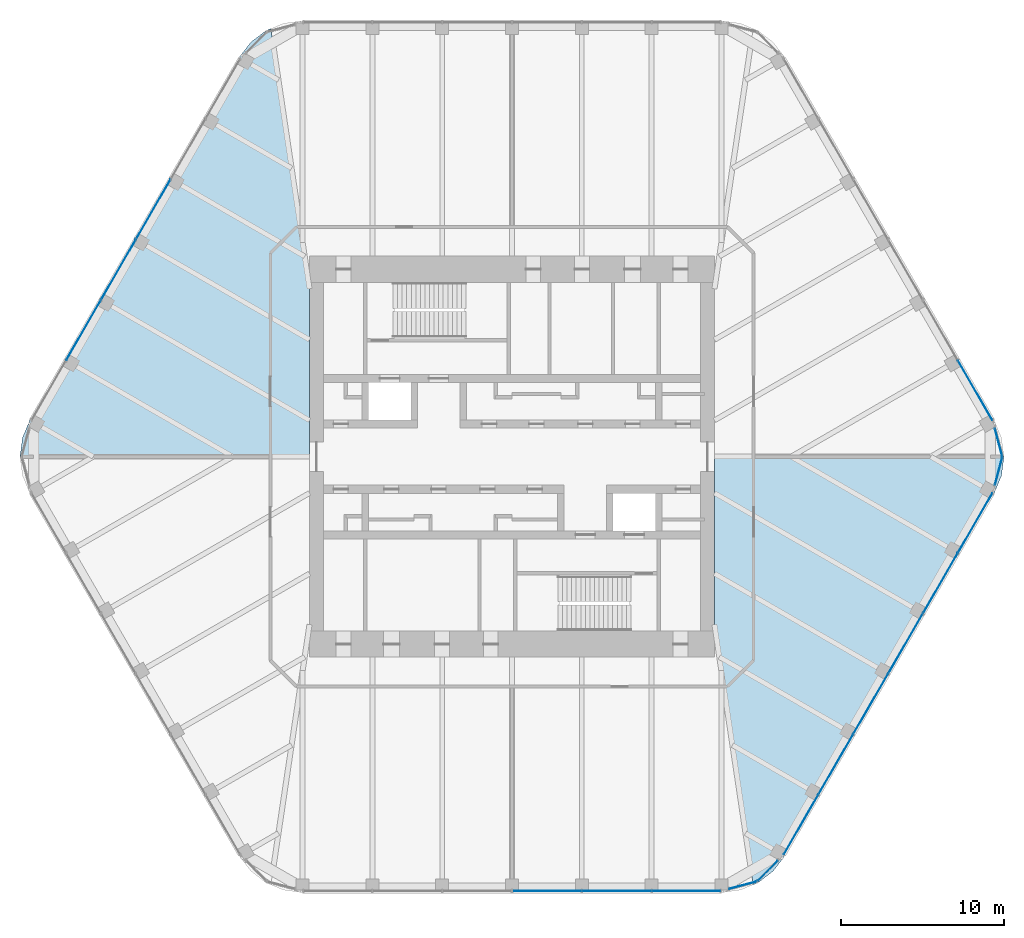
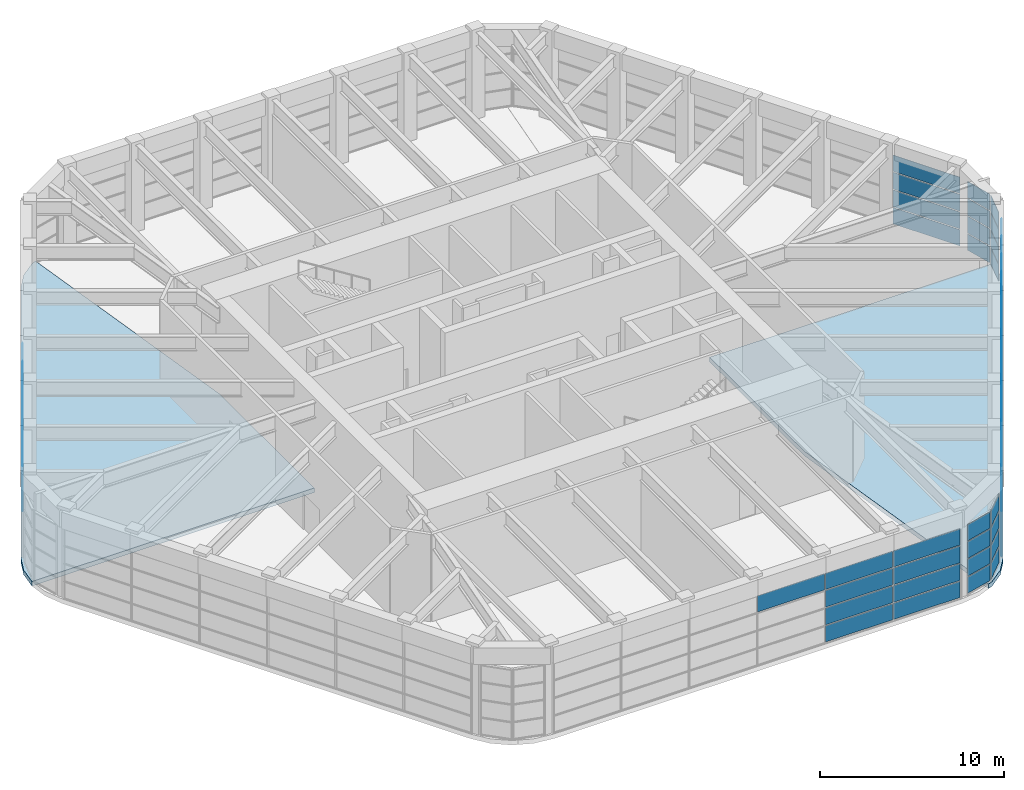
# One storey, part 11 of 16: 63 plates, 2 slabs, 8 elements without a shape of their own.
"""IFC4 building model written with IfcOpenShell, lengths in metres."""

from ifc_helpers import new_model, si_unit, direction, frame, origin, origin_2d, place, context, subcontext, project, spatial, polyline, rectangle, outline, extrude, material, layer, layer_set, type_object, element, aggregate, save


model = new_model("IFC4")

# Units and contexts
model_context = context("Model", 3, precision=1e-05, world=origin(), true_north=direction((0.0, 1.0)))
body_context = subcontext(model_context, "Body", "Model", "MODEL_VIEW")
ifc_project = project(units=[si_unit("LENGTHUNIT", "METRE"), si_unit("AREAUNIT", "SQUARE_METRE"), si_unit("VOLUMEUNIT", "CUBIC_METRE"), si_unit("PLANEANGLEUNIT", "RADIAN"), si_unit("MASSUNIT", "GRAM", prefix="KILO")], contexts=[model_context])

# Site, building, storey
site_placement = place(None, origin())
site = spatial("IfcSite", under=ifc_project, at=site_placement, CompositionType="ELEMENT")
building_placement = place(site_placement, origin())
building = spatial("IfcBuilding", under=site, at=building_placement, Name="Tarfa Lantern Tower", CompositionType="ELEMENT")
storey_placement = place(building_placement, frame((0.0, 0.0, 396.300048828125)))
storey = spatial("IfcBuildingStorey", under=building, at=storey_placement, Name="L90", CompositionType="ELEMENT", Elevation=396.300048828125)

# Curtain wall, plates
ifc_material_1 = material(Name="Aluminium framed curtain wall", Category="aluminium")
curtain_wall_type = type_object("IfcCurtainWallType", Name="CW8 LANTERN GLAZING 4700", PredefinedType="USERDEFINED", material=ifc_material_1)
curtain_wall_1_placement = place(storey_placement, origin())
curtain_wall_1 = element("IfcCurtainWall", 1, at=curtain_wall_1_placement, inside=storey, type_object=curtain_wall_type, Name="CW8 SSE1 L90", ObjectType="CURTAIN WALL", PredefinedType="USERDEFINED")
ifc_material_2 = material(Name="Laminated double glazing", Category="glass")
ifc_layer_1 = layer(ifc_material_2, 0.028076171875)
ifc_layer_set_1 = layer_set([ifc_layer_1], Name="CWP1 DOUBLE GLAZED PANEL")
plate_type = type_object("IfcPlateType", Name="CWP1 DOUBLE GLAZED PANEL", PredefinedType="CURTAIN_PANEL", material=ifc_layer_set_1)
plate_1_placement = place(storey_placement, frame((14.158935546875, -26.298095703125, 0.06494140625), z_axis=(0.0, 0.0, 1.0), x_axis=(0.965925850804, 0.258818953611, 0.0)))
plate_1 = element("IfcPlate", 2, at=plate_1_placement, type_object=plate_type, Name="CW8 panel 1.1", PredefinedType="CURTAIN_PANEL", context=body_context, shape_type="SweptSolid", body=[
    extrude(rectangle(XDim=1.706787109375, YDim=0.028076171875, at=origin_2d()), origin(), (0.0, 0.0, 1.0), 1.077392578125),
])
plate_2_placement = place(storey_placement, frame((14.158935546875, -26.298095703125, 1.20751953125), z_axis=(0.0, 0.0, 1.0), x_axis=(0.965925850804, 0.258818953611, 0.0)))
plate_2 = element("IfcPlate", 3, at=plate_2_placement, type_object=plate_type, Name="CW8 panel 1.2", PredefinedType="CURTAIN_PANEL", context=body_context, shape_type="SweptSolid", body=[
    extrude(rectangle(XDim=1.706787109375, YDim=0.028076171875, at=origin_2d()), origin(), (0.0, 0.0, 1.0), 1.110107421875),
])
plate_3_placement = place(storey_placement, frame((14.158935546875, -26.298095703125, 2.38232421875), z_axis=(0.0, 0.0, 1.0), x_axis=(0.965925850804, 0.258818953611, 0.0)))
plate_3 = element("IfcPlate", 4, at=plate_3_placement, type_object=plate_type, Name="CW8 panel 1.3", PredefinedType="CURTAIN_PANEL", context=body_context, shape_type="SweptSolid", body=[
    extrude(rectangle(XDim=1.706787109375, YDim=0.028076171875, at=origin_2d()), origin(), (0.0, 0.0, 1.0), 1.110107421875),
])
plate_4_placement = place(storey_placement, frame((14.158935546875, -26.298095703125, 3.5576171875), z_axis=(0.0, 0.0, 1.0), x_axis=(0.965925850804, 0.258818953611, 0.0)))
plate_4 = element("IfcPlate", 5, at=plate_4_placement, type_object=plate_type, Name="CW8 panel 1.4", PredefinedType="CURTAIN_PANEL", context=body_context, shape_type="SweptSolid", body=[
    extrude(rectangle(XDim=1.706787109375, YDim=0.028076171875, at=origin_2d()), origin(), (0.0, 0.0, 1.0), 1.077392578125),
])
aggregate(curtain_wall_1, [plate_1, plate_2, plate_3, plate_4])

curtain_wall_2_placement = place(storey_placement, origin())
curtain_wall_2 = element("IfcCurtainWall", 6, at=curtain_wall_2_placement, inside=storey, type_object=curtain_wall_type, Name="CW8 SSE2 L90", ObjectType="CURTAIN WALL", PredefinedType="USERDEFINED")
plate_5_placement = place(storey_placement, frame((15.6953125, -25.4111328125, 0.06494140625), z_axis=(0.0, 0.0, 1.0), x_axis=(0.707106781187, 0.707106781187, 0.0)))
plate_5 = element("IfcPlate", 7, at=plate_5_placement, type_object=plate_type, Name="CW8 panel 1.1", PredefinedType="CURTAIN_PANEL", context=body_context, shape_type="SweptSolid", body=[
    extrude(rectangle(XDim=1.706787109375, YDim=0.028076171875, at=origin_2d()), origin(), (0.0, 0.0, 1.0), 1.077392578125),
])
plate_6_placement = place(storey_placement, frame((15.6953125, -25.4111328125, 1.20751953125), z_axis=(0.0, 0.0, 1.0), x_axis=(0.707106781187, 0.707106781187, 0.0)))
plate_6 = element("IfcPlate", 8, at=plate_6_placement, type_object=plate_type, Name="CW8 panel 1.2", PredefinedType="CURTAIN_PANEL", context=body_context, shape_type="SweptSolid", body=[
    extrude(rectangle(XDim=1.706787109375, YDim=0.028076171875, at=origin_2d()), origin(), (0.0, 0.0, 1.0), 1.110107421875),
])
plate_7_placement = place(storey_placement, frame((15.6953125, -25.4111328125, 2.38232421875), z_axis=(0.0, 0.0, 1.0), x_axis=(0.707106781187, 0.707106781187, 0.0)))
plate_7 = element("IfcPlate", 9, at=plate_7_placement, type_object=plate_type, Name="CW8 panel 1.3", PredefinedType="CURTAIN_PANEL", context=body_context, shape_type="SweptSolid", body=[
    extrude(rectangle(XDim=1.706787109375, YDim=0.028076171875, at=origin_2d()), origin(), (0.0, 0.0, 1.0), 1.110107421875),
])
plate_8_placement = place(storey_placement, frame((15.6953125, -25.4111328125, 3.5576171875), z_axis=(0.0, 0.0, 1.0), x_axis=(0.707106781187, 0.707106781187, 0.0)))
plate_8 = element("IfcPlate", 10, at=plate_8_placement, type_object=plate_type, Name="CW8 panel 1.4", PredefinedType="CURTAIN_PANEL", context=body_context, shape_type="SweptSolid", body=[
    extrude(rectangle(XDim=1.706787109375, YDim=0.028076171875, at=origin_2d()), origin(), (0.0, 0.0, 1.0), 1.077392578125),
])
aggregate(curtain_wall_2, [plate_5, plate_6, plate_7, plate_8])

curtain_wall_3_placement = place(storey_placement, origin())
curtain_wall_3 = element("IfcCurtainWall", 11, at=curtain_wall_3_placement, inside=storey, type_object=curtain_wall_type, Name="CW8 SENE1 L90", ObjectType="CURTAIN WALL", PredefinedType="USERDEFINED")
plate_9_placement = place(storey_placement, frame((29.8544921875, -0.886962890625, 0.06494140625), z_axis=(0.0, 0.0, 1.0), x_axis=(0.258818953611, 0.965925850804, 0.0)))
plate_9 = element("IfcPlate", 12, at=plate_9_placement, type_object=plate_type, Name="CW8 panel 1.1", PredefinedType="CURTAIN_PANEL", context=body_context, shape_type="SweptSolid", body=[
    extrude(rectangle(XDim=1.706787109375, YDim=0.028076171875, at=origin_2d()), origin(), (0.0, 0.0, 1.0), 1.077392578125),
])
plate_10_placement = place(storey_placement, frame((29.8544921875, -0.886962890625, 1.20751953125), z_axis=(0.0, 0.0, 1.0), x_axis=(0.258818953611, 0.965925850804, 0.0)))
plate_10 = element("IfcPlate", 13, at=plate_10_placement, type_object=plate_type, Name="CW8 panel 1.2", PredefinedType="CURTAIN_PANEL", context=body_context, shape_type="SweptSolid", body=[
    extrude(rectangle(XDim=1.706787109375, YDim=0.028076171875, at=origin_2d()), origin(), (0.0, 0.0, 1.0), 1.110107421875),
])
plate_11_placement = place(storey_placement, frame((29.8544921875, -0.886962890625, 2.38232421875), z_axis=(0.0, 0.0, 1.0), x_axis=(0.258818953611, 0.965925850804, 0.0)))
plate_11 = element("IfcPlate", 14, at=plate_11_placement, type_object=plate_type, Name="CW8 panel 1.3", PredefinedType="CURTAIN_PANEL", context=body_context, shape_type="SweptSolid", body=[
    extrude(rectangle(XDim=1.706787109375, YDim=0.028076171875, at=origin_2d()), origin(), (0.0, 0.0, 1.0), 1.110107421875),
])
plate_12_placement = place(storey_placement, frame((29.8544921875, -0.886962890625, 3.5576171875), z_axis=(0.0, 0.0, 1.0), x_axis=(0.258818953611, 0.965925850804, 0.0)))
plate_12 = element("IfcPlate", 15, at=plate_12_placement, type_object=plate_type, Name="CW8 panel 1.4", PredefinedType="CURTAIN_PANEL", context=body_context, shape_type="SweptSolid", body=[
    extrude(rectangle(XDim=1.706787109375, YDim=0.028076171875, at=origin_2d()), origin(), (0.0, 0.0, 1.0), 1.077392578125),
])
aggregate(curtain_wall_3, [plate_9, plate_10, plate_11, plate_12])

curtain_wall_4_placement = place(storey_placement, origin())
curtain_wall_4 = element("IfcCurtainWall", 16, at=curtain_wall_4_placement, inside=storey, type_object=curtain_wall_type, Name="CW8 SENE2 L90", ObjectType="CURTAIN WALL", PredefinedType="USERDEFINED")
plate_13_placement = place(storey_placement, frame((29.8544921875, 0.886962890625, 0.06494140625), z_axis=(0.0, 0.0, 1.0), x_axis=(-0.258818953611, 0.965925850804, 0.0)))
plate_13 = element("IfcPlate", 17, at=plate_13_placement, type_object=plate_type, Name="CW8 panel 1.1", PredefinedType="CURTAIN_PANEL", context=body_context, shape_type="SweptSolid", body=[
    extrude(rectangle(XDim=1.706787109375, YDim=0.028076171875, at=origin_2d()), origin(), (0.0, 0.0, 1.0), 1.077392578125),
])
plate_14_placement = place(storey_placement, frame((29.8544921875, 0.886962890625, 1.20751953125), z_axis=(0.0, 0.0, 1.0), x_axis=(-0.258818953611, 0.965925850804, 0.0)))
plate_14 = element("IfcPlate", 18, at=plate_14_placement, type_object=plate_type, Name="CW8 panel 1.2", PredefinedType="CURTAIN_PANEL", context=body_context, shape_type="SweptSolid", body=[
    extrude(rectangle(XDim=1.706787109375, YDim=0.028076171875, at=origin_2d()), origin(), (0.0, 0.0, 1.0), 1.110107421875),
])
plate_15_placement = place(storey_placement, frame((29.8544921875, 0.886962890625, 2.38232421875), z_axis=(0.0, 0.0, 1.0), x_axis=(-0.258818953611, 0.965925850804, 0.0)))
plate_15 = element("IfcPlate", 19, at=plate_15_placement, type_object=plate_type, Name="CW8 panel 1.3", PredefinedType="CURTAIN_PANEL", context=body_context, shape_type="SweptSolid", body=[
    extrude(rectangle(XDim=1.706787109375, YDim=0.028076171875, at=origin_2d()), origin(), (0.0, 0.0, 1.0), 1.110107421875),
])
plate_16_placement = place(storey_placement, frame((29.8544921875, 0.886962890625, 3.5576171875), z_axis=(0.0, 0.0, 1.0), x_axis=(-0.258818953611, 0.965925850804, 0.0)))
plate_16 = element("IfcPlate", 20, at=plate_16_placement, type_object=plate_type, Name="CW8 panel 1.4", PredefinedType="CURTAIN_PANEL", context=body_context, shape_type="SweptSolid", body=[
    extrude(rectangle(XDim=1.706787109375, YDim=0.028076171875, at=origin_2d()), origin(), (0.0, 0.0, 1.0), 1.077392578125),
])
aggregate(curtain_wall_4, [plate_13, plate_14, plate_15, plate_16])

curtain_wall_5_placement = place(storey_placement, origin())
curtain_wall_5 = element("IfcCurtainWall", 21, at=curtain_wall_5_placement, inside=storey, type_object=curtain_wall_type, Name="CW8 NE L90", ObjectType="CURTAIN WALL", PredefinedType="USERDEFINED")
plate_17_placement = place(storey_placement, frame((28.424072265625, 4.068359375, 0.06494140625), z_axis=(0.0, 0.0, 1.0), x_axis=(-0.5, 0.866025403784, 0.0)))
plate_17 = element("IfcPlate", 22, at=plate_17_placement, type_object=plate_type, Name="CW8 panel 1.1", PredefinedType="CURTAIN_PANEL", context=body_context, shape_type="SweptSolid", body=[
    extrude(rectangle(XDim=4.1845703125, YDim=0.028076171875, at=origin_2d()), origin(), (0.0, 0.0, 1.0), 1.077392578125),
])
plate_18_placement = place(storey_placement, frame((28.424072265625, 4.068359375, 1.20751953125), z_axis=(0.0, 0.0, 1.0), x_axis=(-0.5, 0.866025403784, 0.0)))
plate_18 = element("IfcPlate", 23, at=plate_18_placement, type_object=plate_type, Name="CW8 panel 1.2", PredefinedType="CURTAIN_PANEL", context=body_context, shape_type="SweptSolid", body=[
    extrude(rectangle(XDim=4.1845703125, YDim=0.028076171875, at=origin_2d()), origin(), (0.0, 0.0, 1.0), 1.110107421875),
])
plate_19_placement = place(storey_placement, frame((28.424072265625, 4.068359375, 2.38232421875), z_axis=(0.0, 0.0, 1.0), x_axis=(-0.5, 0.866025403784, 0.0)))
plate_19 = element("IfcPlate", 24, at=plate_19_placement, type_object=plate_type, Name="CW8 panel 1.3", PredefinedType="CURTAIN_PANEL", context=body_context, shape_type="SweptSolid", body=[
    extrude(rectangle(XDim=4.1845703125, YDim=0.028076171875, at=origin_2d()), origin(), (0.0, 0.0, 1.0), 1.110107421875),
])
plate_20_placement = place(storey_placement, frame((28.424072265625, 4.068359375, 3.5576171875), z_axis=(0.0, 0.0, 1.0), x_axis=(-0.5, 0.866025403784, 0.0)))
plate_20 = element("IfcPlate", 25, at=plate_20_placement, type_object=plate_type, Name="CW8 panel 1.4", PredefinedType="CURTAIN_PANEL", context=body_context, shape_type="SweptSolid", body=[
    extrude(rectangle(XDim=4.1845703125, YDim=0.028076171875, at=origin_2d()), origin(), (0.0, 0.0, 1.0), 1.077392578125),
])
aggregate(curtain_wall_5, [plate_17, plate_18, plate_19, plate_20])

curtain_wall_6_placement = place(storey_placement, origin())
curtain_wall_6 = element("IfcCurtainWall", 26, at=curtain_wall_6_placement, inside=storey, type_object=curtain_wall_type, Name="CW8 NW L90", ObjectType="CURTAIN WALL", PredefinedType="USERDEFINED")
plate_21_placement = place(storey_placement, frame((-22.009033203125, 15.17919921875, 0.06494140625), z_axis=(0.0, 0.0, 1.0), x_axis=(-0.5, -0.866025403784, 0.0)))
plate_21 = element("IfcPlate", 27, at=plate_21_placement, type_object=plate_type, Name="CW8 panel 3.1", PredefinedType="CURTAIN_PANEL", context=body_context, shape_type="SweptSolid", body=[
    extrude(rectangle(XDim=4.217041015625, YDim=0.028076171875, at=origin_2d()), origin(), (0.0, 0.0, 1.0), 1.077392578125),
])
plate_22_placement = place(storey_placement, frame((-22.009033203125, 15.17919921875, 1.20751953125), z_axis=(0.0, 0.0, 1.0), x_axis=(-0.5, -0.866025403784, 0.0)))
plate_22 = element("IfcPlate", 28, at=plate_22_placement, type_object=plate_type, Name="CW8 panel 3.2", PredefinedType="CURTAIN_PANEL", context=body_context, shape_type="SweptSolid", body=[
    extrude(rectangle(XDim=4.217041015625, YDim=0.028076171875, at=origin_2d()), origin(), (0.0, 0.0, 1.0), 1.110107421875),
])
plate_23_placement = place(storey_placement, frame((-24.150146484375, 11.470947265625, 0.06494140625), z_axis=(0.0, 0.0, 1.0), x_axis=(-0.5, -0.866025403784, 0.0)))
plate_23 = element("IfcPlate", 29, at=plate_23_placement, type_object=plate_type, Name="CW8 panel 4.1", PredefinedType="CURTAIN_PANEL", context=body_context, shape_type="SweptSolid", body=[
    extrude(rectangle(XDim=4.217041015625, YDim=0.028076171875, at=origin_2d()), origin(), (0.0, 0.0, 1.0), 1.077392578125),
])
plate_24_placement = place(storey_placement, frame((-24.150146484375, 11.470947265625, 1.20751953125), z_axis=(0.0, 0.0, 1.0), x_axis=(-0.5, -0.866025403784, 0.0)))
plate_24 = element("IfcPlate", 30, at=plate_24_placement, type_object=plate_type, Name="CW8 panel 4.2", PredefinedType="CURTAIN_PANEL", context=body_context, shape_type="SweptSolid", body=[
    extrude(rectangle(XDim=4.217041015625, YDim=0.028076171875, at=origin_2d()), origin(), (0.0, 0.0, 1.0), 1.110107421875),
])
plate_25_placement = place(storey_placement, frame((-24.150146484375, 11.470947265625, 2.38232421875), z_axis=(0.0, 0.0, 1.0), x_axis=(-0.5, -0.866025403784, 0.0)))
plate_25 = element("IfcPlate", 31, at=plate_25_placement, type_object=plate_type, Name="CW8 panel 4.3", PredefinedType="CURTAIN_PANEL", context=body_context, shape_type="SweptSolid", body=[
    extrude(rectangle(XDim=4.217041015625, YDim=0.028076171875, at=origin_2d()), origin(), (0.0, 0.0, 1.0), 1.110107421875),
])
plate_26_placement = place(storey_placement, frame((-24.150146484375, 11.470947265625, 3.5576171875), z_axis=(0.0, 0.0, 1.0), x_axis=(-0.5, -0.866025403784, 0.0)))
plate_26 = element("IfcPlate", 32, at=plate_26_placement, type_object=plate_type, Name="CW8 panel 4.4", PredefinedType="CURTAIN_PANEL", context=body_context, shape_type="SweptSolid", body=[
    extrude(rectangle(XDim=4.217041015625, YDim=0.028076171875, at=origin_2d()), origin(), (0.0, 0.0, 1.0), 1.077392578125),
])
plate_27_placement = place(storey_placement, frame((-26.291015625, 7.762451171875, 0.06494140625), z_axis=(0.0, 0.0, 1.0), x_axis=(-0.5, -0.866025403784, 0.0)))
plate_27 = element("IfcPlate", 33, at=plate_27_placement, type_object=plate_type, Name="CW8 panel 5.1", PredefinedType="CURTAIN_PANEL", context=body_context, shape_type="SweptSolid", body=[
    extrude(rectangle(XDim=4.217041015625, YDim=0.028076171875, at=origin_2d()), origin(), (0.0, 0.0, 1.0), 1.077392578125),
])
plate_28_placement = place(storey_placement, frame((-26.291015625, 7.762451171875, 1.20751953125), z_axis=(0.0, 0.0, 1.0), x_axis=(-0.5, -0.866025403784, 0.0)))
plate_28 = element("IfcPlate", 34, at=plate_28_placement, type_object=plate_type, Name="CW8 panel 5.2", PredefinedType="CURTAIN_PANEL", context=body_context, shape_type="SweptSolid", body=[
    extrude(rectangle(XDim=4.217041015625, YDim=0.028076171875, at=origin_2d()), origin(), (0.0, 0.0, 1.0), 1.110107421875),
])
plate_29_placement = place(storey_placement, frame((-26.291015625, 7.762451171875, 2.38232421875), z_axis=(0.0, 0.0, 1.0), x_axis=(-0.5, -0.866025403784, 0.0)))
plate_29 = element("IfcPlate", 35, at=plate_29_placement, type_object=plate_type, Name="CW8 panel 5.3", PredefinedType="CURTAIN_PANEL", context=body_context, shape_type="SweptSolid", body=[
    extrude(rectangle(XDim=4.217041015625, YDim=0.028076171875, at=origin_2d()), origin(), (0.0, 0.0, 1.0), 1.110107421875),
])
plate_30_placement = place(storey_placement, frame((-26.291015625, 7.762451171875, 3.5576171875), z_axis=(0.0, 0.0, 1.0), x_axis=(-0.5, -0.866025403784, 0.0)))
plate_30 = element("IfcPlate", 36, at=plate_30_placement, type_object=plate_type, Name="CW8 panel 5.4", PredefinedType="CURTAIN_PANEL", context=body_context, shape_type="SweptSolid", body=[
    extrude(rectangle(XDim=4.217041015625, YDim=0.028076171875, at=origin_2d()), origin(), (0.0, 0.0, 1.0), 1.077392578125),
])
aggregate(curtain_wall_6, [plate_21, plate_22, plate_23, plate_24, plate_25, plate_26, plate_27, plate_28, plate_29, plate_30])

curtain_wall_7_placement = place(storey_placement, origin())
curtain_wall_7 = element("IfcCurtainWall", 37, at=curtain_wall_7_placement, inside=storey, type_object=curtain_wall_type, Name="CW8 S L90", ObjectType="CURTAIN WALL", PredefinedType="USERDEFINED")
plate_31_placement = place(storey_placement, frame((2.14111328125, -26.64990234375, 3.5576171875), z_axis=(0.0, 0.0, 1.0), x_axis=(1.0, 0.0, 0.0)))
plate_31 = element("IfcPlate", 38, at=plate_31_placement, type_object=plate_type, Name="CW8 panel 4.4", PredefinedType="CURTAIN_PANEL", context=body_context, shape_type="SweptSolid", body=[
    extrude(rectangle(XDim=4.217041015625, YDim=0.028076171875, at=origin_2d()), origin(), (0.0, 0.0, 1.0), 1.077392578125),
])
plate_32_placement = place(storey_placement, frame((6.423095703125, -26.64990234375, 0.06494140625), z_axis=(0.0, 0.0, 1.0), x_axis=(1.0, 0.0, 0.0)))
plate_32 = element("IfcPlate", 39, at=plate_32_placement, type_object=plate_type, Name="CW8 panel 5.1", PredefinedType="CURTAIN_PANEL", context=body_context, shape_type="SweptSolid", body=[
    extrude(rectangle(XDim=4.217041015625, YDim=0.028076171875, at=origin_2d()), origin(), (0.0, 0.0, 1.0), 1.077392578125),
])
plate_33_placement = place(storey_placement, frame((6.423095703125, -26.64990234375, 1.20751953125), z_axis=(0.0, 0.0, 1.0), x_axis=(1.0, 0.0, 0.0)))
plate_33 = element("IfcPlate", 40, at=plate_33_placement, type_object=plate_type, Name="CW8 panel 5.2", PredefinedType="CURTAIN_PANEL", context=body_context, shape_type="SweptSolid", body=[
    extrude(rectangle(XDim=4.217041015625, YDim=0.028076171875, at=origin_2d()), origin(), (0.0, 0.0, 1.0), 1.110107421875),
])
plate_34_placement = place(storey_placement, frame((6.423095703125, -26.64990234375, 2.38232421875), z_axis=(0.0, 0.0, 1.0), x_axis=(1.0, 0.0, 0.0)))
plate_34 = element("IfcPlate", 41, at=plate_34_placement, type_object=plate_type, Name="CW8 panel 5.3", PredefinedType="CURTAIN_PANEL", context=body_context, shape_type="SweptSolid", body=[
    extrude(rectangle(XDim=4.217041015625, YDim=0.028076171875, at=origin_2d()), origin(), (0.0, 0.0, 1.0), 1.110107421875),
])
plate_35_placement = place(storey_placement, frame((6.423095703125, -26.64990234375, 3.5576171875), z_axis=(0.0, 0.0, 1.0), x_axis=(1.0, 0.0, 0.0)))
plate_35 = element("IfcPlate", 42, at=plate_35_placement, type_object=plate_type, Name="CW8 panel 5.4", PredefinedType="CURTAIN_PANEL", context=body_context, shape_type="SweptSolid", body=[
    extrude(rectangle(XDim=4.217041015625, YDim=0.028076171875, at=origin_2d()), origin(), (0.0, 0.0, 1.0), 1.077392578125),
])
plate_36_placement = place(storey_placement, frame((10.688720703125, -26.64990234375, 0.06494140625), z_axis=(0.0, 0.0, 1.0), x_axis=(1.0, 0.0, 0.0)))
plate_36 = element("IfcPlate", 43, at=plate_36_placement, type_object=plate_type, Name="CW8 panel 6.1", PredefinedType="CURTAIN_PANEL", context=body_context, shape_type="SweptSolid", body=[
    extrude(rectangle(XDim=4.1845703125, YDim=0.028076171875, at=origin_2d()), origin(), (0.0, 0.0, 1.0), 1.077392578125),
])
plate_37_placement = place(storey_placement, frame((10.688720703125, -26.64990234375, 1.20751953125), z_axis=(0.0, 0.0, 1.0), x_axis=(1.0, 0.0, 0.0)))
plate_37 = element("IfcPlate", 44, at=plate_37_placement, type_object=plate_type, Name="CW8 panel 6.2", PredefinedType="CURTAIN_PANEL", context=body_context, shape_type="SweptSolid", body=[
    extrude(rectangle(XDim=4.1845703125, YDim=0.028076171875, at=origin_2d()), origin(), (0.0, 0.0, 1.0), 1.110107421875),
])
plate_38_placement = place(storey_placement, frame((10.688720703125, -26.64990234375, 2.38232421875), z_axis=(0.0, 0.0, 1.0), x_axis=(1.0, 0.0, 0.0)))
plate_38 = element("IfcPlate", 45, at=plate_38_placement, type_object=plate_type, Name="CW8 panel 6.3", PredefinedType="CURTAIN_PANEL", context=body_context, shape_type="SweptSolid", body=[
    extrude(rectangle(XDim=4.1845703125, YDim=0.028076171875, at=origin_2d()), origin(), (0.0, 0.0, 1.0), 1.110107421875),
])
plate_39_placement = place(storey_placement, frame((10.688720703125, -26.64990234375, 3.5576171875), z_axis=(0.0, 0.0, 1.0), x_axis=(1.0, 0.0, 0.0)))
plate_39 = element("IfcPlate", 46, at=plate_39_placement, type_object=plate_type, Name="CW8 panel 6.4", PredefinedType="CURTAIN_PANEL", context=body_context, shape_type="SweptSolid", body=[
    extrude(rectangle(XDim=4.1845703125, YDim=0.028076171875, at=origin_2d()), origin(), (0.0, 0.0, 1.0), 1.077392578125),
])
aggregate(curtain_wall_7, [plate_31, plate_32, plate_33, plate_34, plate_35, plate_36, plate_37, plate_38, plate_39])

curtain_wall_8_placement = place(storey_placement, origin())
curtain_wall_8 = element("IfcCurtainWall", 47, at=curtain_wall_8_placement, inside=storey, type_object=curtain_wall_type, Name="CW8 SE L90", ObjectType="CURTAIN WALL", PredefinedType="USERDEFINED")
plate_40_placement = place(storey_placement, frame((17.735107421875, -22.581787109375, 0.06494140625), z_axis=(0.0, 0.0, 1.0), x_axis=(0.5, 0.866025403784, 0.0)))
plate_40 = element("IfcPlate", 48, at=plate_40_placement, type_object=plate_type, Name="CW8 panel 1.1", PredefinedType="CURTAIN_PANEL", context=body_context, shape_type="SweptSolid", body=[
    extrude(rectangle(XDim=4.1845703125, YDim=0.028076171875, at=origin_2d()), origin(), (0.0, 0.0, 1.0), 1.077392578125),
])
plate_41_placement = place(storey_placement, frame((17.735107421875, -22.581787109375, 1.20751953125), z_axis=(0.0, 0.0, 1.0), x_axis=(0.5, 0.866025403784, 0.0)))
plate_41 = element("IfcPlate", 49, at=plate_41_placement, type_object=plate_type, Name="CW8 panel 1.2", PredefinedType="CURTAIN_PANEL", context=body_context, shape_type="SweptSolid", body=[
    extrude(rectangle(XDim=4.1845703125, YDim=0.028076171875, at=origin_2d()), origin(), (0.0, 0.0, 1.0), 1.110107421875),
])
plate_42_placement = place(storey_placement, frame((17.735107421875, -22.581787109375, 2.38232421875), z_axis=(0.0, 0.0, 1.0), x_axis=(0.5, 0.866025403784, 0.0)))
plate_42 = element("IfcPlate", 50, at=plate_42_placement, type_object=plate_type, Name="CW8 panel 1.3", PredefinedType="CURTAIN_PANEL", context=body_context, shape_type="SweptSolid", body=[
    extrude(rectangle(XDim=4.1845703125, YDim=0.028076171875, at=origin_2d()), origin(), (0.0, 0.0, 1.0), 1.110107421875),
])
plate_43_placement = place(storey_placement, frame((17.735107421875, -22.581787109375, 3.5576171875), z_axis=(0.0, 0.0, 1.0), x_axis=(0.5, 0.866025403784, 0.0)))
plate_43 = element("IfcPlate", 51, at=plate_43_placement, type_object=plate_type, Name="CW8 panel 1.4", PredefinedType="CURTAIN_PANEL", context=body_context, shape_type="SweptSolid", body=[
    extrude(rectangle(XDim=4.1845703125, YDim=0.028076171875, at=origin_2d()), origin(), (0.0, 0.0, 1.0), 1.077392578125),
])
plate_44_placement = place(storey_placement, frame((19.8681640625, -18.887451171875, 0.06494140625), z_axis=(0.0, 0.0, 1.0), x_axis=(0.5, 0.866025403784, 0.0)))
plate_44 = element("IfcPlate", 52, at=plate_44_placement, type_object=plate_type, Name="CW8 panel 2.1", PredefinedType="CURTAIN_PANEL", context=body_context, shape_type="SweptSolid", body=[
    extrude(rectangle(XDim=4.217041015625, YDim=0.028076171875, at=origin_2d()), origin(), (0.0, 0.0, 1.0), 1.077392578125),
])
plate_45_placement = place(storey_placement, frame((19.8681640625, -18.887451171875, 1.20751953125), z_axis=(0.0, 0.0, 1.0), x_axis=(0.5, 0.866025403784, 0.0)))
plate_45 = element("IfcPlate", 53, at=plate_45_placement, type_object=plate_type, Name="CW8 panel 2.2", PredefinedType="CURTAIN_PANEL", context=body_context, shape_type="SweptSolid", body=[
    extrude(rectangle(XDim=4.217041015625, YDim=0.028076171875, at=origin_2d()), origin(), (0.0, 0.0, 1.0), 1.110107421875),
])
plate_46_placement = place(storey_placement, frame((19.8681640625, -18.887451171875, 2.38232421875), z_axis=(0.0, 0.0, 1.0), x_axis=(0.5, 0.866025403784, 0.0)))
plate_46 = element("IfcPlate", 54, at=plate_46_placement, type_object=plate_type, Name="CW8 panel 2.3", PredefinedType="CURTAIN_PANEL", context=body_context, shape_type="SweptSolid", body=[
    extrude(rectangle(XDim=4.217041015625, YDim=0.028076171875, at=origin_2d()), origin(), (0.0, 0.0, 1.0), 1.110107421875),
])
plate_47_placement = place(storey_placement, frame((19.8681640625, -18.887451171875, 3.5576171875), z_axis=(0.0, 0.0, 1.0), x_axis=(0.5, 0.866025403784, 0.0)))
plate_47 = element("IfcPlate", 55, at=plate_47_placement, type_object=plate_type, Name="CW8 panel 2.4", PredefinedType="CURTAIN_PANEL", context=body_context, shape_type="SweptSolid", body=[
    extrude(rectangle(XDim=4.217041015625, YDim=0.028076171875, at=origin_2d()), origin(), (0.0, 0.0, 1.0), 1.077392578125),
])
plate_48_placement = place(storey_placement, frame((22.009033203125, -15.17919921875, 0.06494140625), z_axis=(0.0, 0.0, 1.0), x_axis=(0.5, 0.866025403784, 0.0)))
plate_48 = element("IfcPlate", 56, at=plate_48_placement, type_object=plate_type, Name="CW8 panel 3.1", PredefinedType="CURTAIN_PANEL", context=body_context, shape_type="SweptSolid", body=[
    extrude(rectangle(XDim=4.217041015625, YDim=0.028076171875, at=origin_2d()), origin(), (0.0, 0.0, 1.0), 1.077392578125),
])
plate_49_placement = place(storey_placement, frame((22.009033203125, -15.17919921875, 1.20751953125), z_axis=(0.0, 0.0, 1.0), x_axis=(0.5, 0.866025403784, 0.0)))
plate_49 = element("IfcPlate", 57, at=plate_49_placement, type_object=plate_type, Name="CW8 panel 3.2", PredefinedType="CURTAIN_PANEL", context=body_context, shape_type="SweptSolid", body=[
    extrude(rectangle(XDim=4.217041015625, YDim=0.028076171875, at=origin_2d()), origin(), (0.0, 0.0, 1.0), 1.110107421875),
])
plate_50_placement = place(storey_placement, frame((22.009033203125, -15.17919921875, 2.38232421875), z_axis=(0.0, 0.0, 1.0), x_axis=(0.5, 0.866025403784, 0.0)))
plate_50 = element("IfcPlate", 58, at=plate_50_placement, type_object=plate_type, Name="CW8 panel 3.3", PredefinedType="CURTAIN_PANEL", context=body_context, shape_type="SweptSolid", body=[
    extrude(rectangle(XDim=4.217041015625, YDim=0.028076171875, at=origin_2d()), origin(), (0.0, 0.0, 1.0), 1.110107421875),
])
plate_51_placement = place(storey_placement, frame((22.009033203125, -15.17919921875, 3.5576171875), z_axis=(0.0, 0.0, 1.0), x_axis=(0.5, 0.866025403784, 0.0)))
plate_51 = element("IfcPlate", 59, at=plate_51_placement, type_object=plate_type, Name="CW8 panel 3.4", PredefinedType="CURTAIN_PANEL", context=body_context, shape_type="SweptSolid", body=[
    extrude(rectangle(XDim=4.217041015625, YDim=0.028076171875, at=origin_2d()), origin(), (0.0, 0.0, 1.0), 1.077392578125),
])
plate_52_placement = place(storey_placement, frame((24.150146484375, -11.470947265625, 0.06494140625), z_axis=(0.0, 0.0, 1.0), x_axis=(0.5, 0.866025403784, 0.0)))
plate_52 = element("IfcPlate", 60, at=plate_52_placement, type_object=plate_type, Name="CW8 panel 4.1", PredefinedType="CURTAIN_PANEL", context=body_context, shape_type="SweptSolid", body=[
    extrude(rectangle(XDim=4.217041015625, YDim=0.028076171875, at=origin_2d()), origin(), (0.0, 0.0, 1.0), 1.077392578125),
])
plate_53_placement = place(storey_placement, frame((24.150146484375, -11.470947265625, 1.20751953125), z_axis=(0.0, 0.0, 1.0), x_axis=(0.5, 0.866025403784, 0.0)))
plate_53 = element("IfcPlate", 61, at=plate_53_placement, type_object=plate_type, Name="CW8 panel 4.2", PredefinedType="CURTAIN_PANEL", context=body_context, shape_type="SweptSolid", body=[
    extrude(rectangle(XDim=4.217041015625, YDim=0.028076171875, at=origin_2d()), origin(), (0.0, 0.0, 1.0), 1.110107421875),
])
plate_54_placement = place(storey_placement, frame((24.150146484375, -11.470947265625, 2.38232421875), z_axis=(0.0, 0.0, 1.0), x_axis=(0.5, 0.866025403784, 0.0)))
plate_54 = element("IfcPlate", 62, at=plate_54_placement, type_object=plate_type, Name="CW8 panel 4.3", PredefinedType="CURTAIN_PANEL", context=body_context, shape_type="SweptSolid", body=[
    extrude(rectangle(XDim=4.217041015625, YDim=0.028076171875, at=origin_2d()), origin(), (0.0, 0.0, 1.0), 1.110107421875),
])
plate_55_placement = place(storey_placement, frame((24.150146484375, -11.470947265625, 3.5576171875), z_axis=(0.0, 0.0, 1.0), x_axis=(0.5, 0.866025403784, 0.0)))
plate_55 = element("IfcPlate", 63, at=plate_55_placement, type_object=plate_type, Name="CW8 panel 4.4", PredefinedType="CURTAIN_PANEL", context=body_context, shape_type="SweptSolid", body=[
    extrude(rectangle(XDim=4.217041015625, YDim=0.028076171875, at=origin_2d()), origin(), (0.0, 0.0, 1.0), 1.077392578125),
])
plate_56_placement = place(storey_placement, frame((26.291015625, -7.762451171875, 0.06494140625), z_axis=(0.0, 0.0, 1.0), x_axis=(0.5, 0.866025403784, 0.0)))
plate_56 = element("IfcPlate", 64, at=plate_56_placement, type_object=plate_type, Name="CW8 panel 5.1", PredefinedType="CURTAIN_PANEL", context=body_context, shape_type="SweptSolid", body=[
    extrude(rectangle(XDim=4.217041015625, YDim=0.028076171875, at=origin_2d()), origin(), (0.0, 0.0, 1.0), 1.077392578125),
])
plate_57_placement = place(storey_placement, frame((26.291015625, -7.762451171875, 1.20751953125), z_axis=(0.0, 0.0, 1.0), x_axis=(0.5, 0.866025403784, 0.0)))
plate_57 = element("IfcPlate", 65, at=plate_57_placement, type_object=plate_type, Name="CW8 panel 5.2", PredefinedType="CURTAIN_PANEL", context=body_context, shape_type="SweptSolid", body=[
    extrude(rectangle(XDim=4.217041015625, YDim=0.028076171875, at=origin_2d()), origin(), (0.0, 0.0, 1.0), 1.110107421875),
])
plate_58_placement = place(storey_placement, frame((26.291015625, -7.762451171875, 2.38232421875), z_axis=(0.0, 0.0, 1.0), x_axis=(0.5, 0.866025403784, 0.0)))
plate_58 = element("IfcPlate", 66, at=plate_58_placement, type_object=plate_type, Name="CW8 panel 5.3", PredefinedType="CURTAIN_PANEL", context=body_context, shape_type="SweptSolid", body=[
    extrude(rectangle(XDim=4.217041015625, YDim=0.028076171875, at=origin_2d()), origin(), (0.0, 0.0, 1.0), 1.110107421875),
])
plate_59_placement = place(storey_placement, frame((26.291015625, -7.762451171875, 3.5576171875), z_axis=(0.0, 0.0, 1.0), x_axis=(0.5, 0.866025403784, 0.0)))
plate_59 = element("IfcPlate", 67, at=plate_59_placement, type_object=plate_type, Name="CW8 panel 5.4", PredefinedType="CURTAIN_PANEL", context=body_context, shape_type="SweptSolid", body=[
    extrude(rectangle(XDim=4.217041015625, YDim=0.028076171875, at=origin_2d()), origin(), (0.0, 0.0, 1.0), 1.077392578125),
])
plate_60_placement = place(storey_placement, frame((28.424072265625, -4.068359375, 0.06494140625), z_axis=(0.0, 0.0, 1.0), x_axis=(0.5, 0.866025403784, 0.0)))
plate_60 = element("IfcPlate", 68, at=plate_60_placement, type_object=plate_type, Name="CW8 panel 6.1", PredefinedType="CURTAIN_PANEL", context=body_context, shape_type="SweptSolid", body=[
    extrude(rectangle(XDim=4.1845703125, YDim=0.028076171875, at=origin_2d()), origin(), (0.0, 0.0, 1.0), 1.077392578125),
])
plate_61_placement = place(storey_placement, frame((28.424072265625, -4.068359375, 1.20751953125), z_axis=(0.0, 0.0, 1.0), x_axis=(0.5, 0.866025403784, 0.0)))
plate_61 = element("IfcPlate", 69, at=plate_61_placement, type_object=plate_type, Name="CW8 panel 6.2", PredefinedType="CURTAIN_PANEL", context=body_context, shape_type="SweptSolid", body=[
    extrude(rectangle(XDim=4.1845703125, YDim=0.028076171875, at=origin_2d()), origin(), (0.0, 0.0, 1.0), 1.110107421875),
])
plate_62_placement = place(storey_placement, frame((28.424072265625, -4.068359375, 2.38232421875), z_axis=(0.0, 0.0, 1.0), x_axis=(0.5, 0.866025403784, 0.0)))
plate_62 = element("IfcPlate", 70, at=plate_62_placement, type_object=plate_type, Name="CW8 panel 6.3", PredefinedType="CURTAIN_PANEL", context=body_context, shape_type="SweptSolid", body=[
    extrude(rectangle(XDim=4.1845703125, YDim=0.028076171875, at=origin_2d()), origin(), (0.0, 0.0, 1.0), 1.110107421875),
])
plate_63_placement = place(storey_placement, frame((28.424072265625, -4.068359375, 3.5576171875), z_axis=(0.0, 0.0, 1.0), x_axis=(0.5, 0.866025403784, 0.0)))
plate_63 = element("IfcPlate", 71, at=plate_63_placement, type_object=plate_type, Name="CW8 panel 6.4", PredefinedType="CURTAIN_PANEL", context=body_context, shape_type="SweptSolid", body=[
    extrude(rectangle(XDim=4.1845703125, YDim=0.028076171875, at=origin_2d()), origin(), (0.0, 0.0, 1.0), 1.077392578125),
])
aggregate(curtain_wall_8, [plate_40, plate_41, plate_42, plate_43, plate_44, plate_45, plate_46, plate_47, plate_48, plate_49, plate_50, plate_51, plate_52, plate_53, plate_54, plate_55, plate_56, plate_57, plate_58, plate_59, plate_60, plate_61, plate_62, plate_63])

# Slabs
ifc_material_3 = material(Name="Concrete C40/50", Category="concrete")
ifc_layer_2 = layer(ifc_material_3, 0.300048828125)
ifc_layer_set_2 = layer_set([ifc_layer_2], Name="FS2 FLOOR SLAB 300")
slab_type = type_object("IfcSlabType", Name="FS2 FLOOR SLAB 300", PredefinedType="FLOOR", material=ifc_layer_set_2)
slab_1_placement = place(storey_placement, frame((0.0, 0.0, -0.300048828125)))
element("IfcSlab", 72, at=slab_1_placement, inside=storey, type_object=slab_type, Name="Floor slab L90 NW bay", PredefinedType="FLOOR", context=body_context, shape_type="SweptSolid", body=[
    extrude(outline(polyline([(-12.427001953125, 0.001953125), (-12.427001953125, 10.2998046875), (-14.802001953125, 26.2666015625), (-15.094970703125, 26.145263671875), (-16.026611328125, 25.4306640625), (-16.741455078125, 24.498779296875), (-29.58740234375, 2.2490234375), (-30.036865234375, 1.1640625), (-30.189697265625, 0.001953125), (-12.427001953125, 0.001953125)])), origin(), (0.0, 0.0, 1.0), 0.300048828125),
])
slab_2_placement = place(storey_placement, frame((0.0, 0.0, -0.300048828125)))
element("IfcSlab", 73, at=slab_2_placement, inside=storey, type_object=slab_type, Name="Floor slab L90 SE bay", PredefinedType="FLOOR", context=body_context, shape_type="SweptSolid", body=[
    extrude(outline(polyline([(12.427001953125, -0.001953125), (12.427001953125, -10.2998046875), (14.802001953125, -26.2666015625), (15.094970703125, -26.145263671875), (16.026611328125, -25.4306640625), (16.741455078125, -24.498779296875), (29.58740234375, -2.2490234375), (30.036865234375, -1.1640625), (30.189697265625, -0.001953125), (12.427001953125, -0.001953125)])), origin(), (0.0, 0.0, 1.0), 0.300048828125),
])

save(model, "model.ifc")
